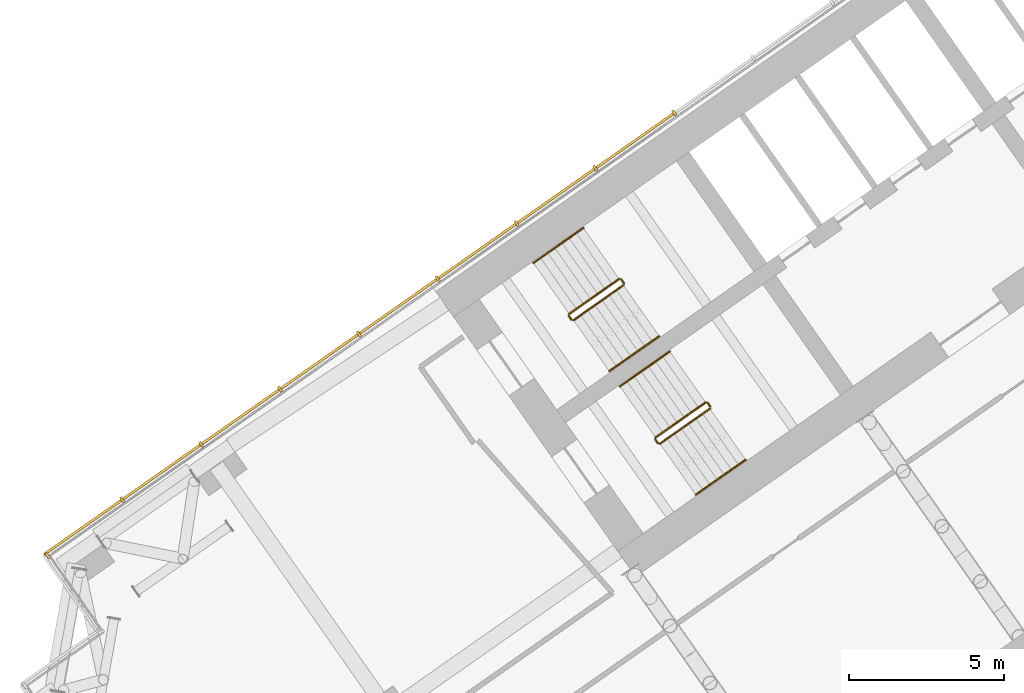
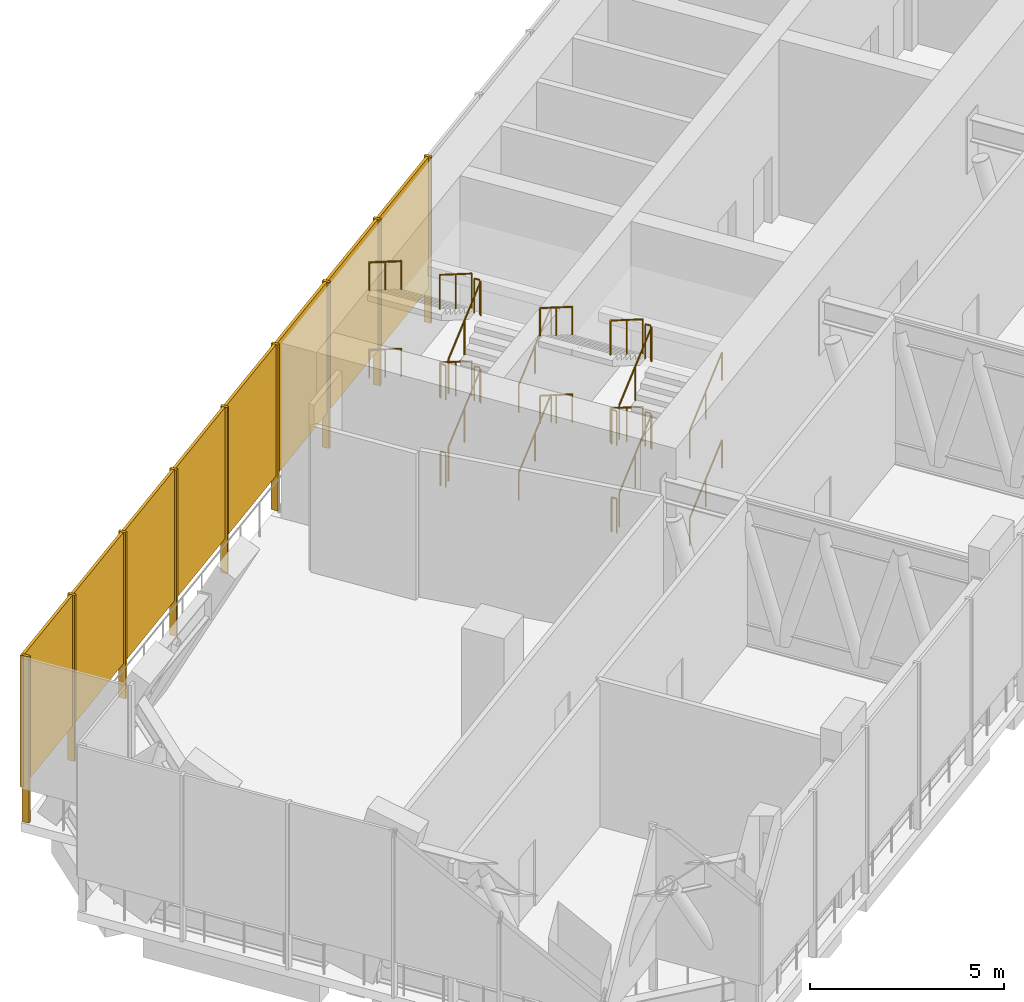
# One storey, part 18 of 24: 24 railings, 17 shading devices.
"""IFC4 building model written with IfcOpenShell, lengths in metres."""

from ifc_helpers import new_model, si_unit, direction, frame, origin, origin_2d, place, context, subcontext, project, spatial, rectangle, circle, extrude, material, layer, layer_set, type_object, element, save


model = new_model("IFC4")

# Units and contexts
model_context = context("Model", 3, precision=1e-05, world=origin(), true_north=direction((0.0, 1.0)))
body_context = subcontext(model_context, "Body", "Model", "MODEL_VIEW")
ifc_project = project(units=[si_unit("LENGTHUNIT", "METRE"), si_unit("AREAUNIT", "SQUARE_METRE"), si_unit("VOLUMEUNIT", "CUBIC_METRE"), si_unit("PLANEANGLEUNIT", "RADIAN"), si_unit("MASSUNIT", "GRAM", prefix="KILO")], contexts=[model_context])

# Site, building, storey
site_placement = place(None, origin())
site = spatial("IfcSite", under=ifc_project, at=site_placement, CompositionType="ELEMENT")
building_placement = place(site_placement, origin())
building = spatial("IfcBuilding", under=site, at=building_placement, Name="Tel Ilan Convention Tower", CompositionType="ELEMENT")
storey_placement = place(building_placement, frame((0.0, 0.0, 126.5)))
storey = spatial("IfcBuildingStorey", under=building, at=storey_placement, Name="L28", CompositionType="ELEMENT", Elevation=126.5)

# Shading devices
ifc_material_1 = material(Name="Perforated aluminium sheet, bronze anodised", Category="aluminium")
ifc_layer_1 = layer(ifc_material_1, 0.080078125)
ifc_layer_set_1 = layer_set([ifc_layer_1], Name="PERFORATED SCREEN 80")
shading_device_type_1 = type_object("IfcShadingDeviceType", Name="PERFORATED SCREEN 80", PredefinedType="USERDEFINED", material=ifc_layer_set_1)
for number, where, z_axis, x_axis, name in (
    (1, (-21.56396484375, -2.281005859375, 1.099853515625), (0.0, 0.0, 1.0), (-0.819152044289, -0.573576436351, 0.0), "SCREEN"),
    (2, (-24.100830078125, -4.057373046875, 1.099853515625), (0.0, 0.0, 1.0), (-0.819152044289, -0.573576436351, 0.0), "SCREEN"),
    (3, (-26.6376953125, -5.833740234375, 1.099853515625), (0.0, 0.0, 1.0), (-0.819152044289, -0.573576436351, 0.0), "SCREEN"),
    (4, (-29.174560546875, -7.610107421875, 1.099853515625), (0.0, 0.0, 1.0), (-0.819152044289, -0.573576436351, 0.0), "SCREEN"),
    (5, (-31.71142578125, -9.386474609375, 1.099853515625), (0.0, 0.0, 1.0), (-0.819152044289, -0.573576436351, 0.0), "SCREEN"),
    (6, (-34.24853515625, -11.162841796875, 1.099853515625), (0.0, 0.0, 1.0), (-0.819152044289, -0.573576436351, 0.0), "SCREEN"),
    (7, (-36.785400390625, -12.939208984375, 1.099853515625), (0.0, 0.0, 1.0), (-0.819152044289, -0.573576436351, 0.0), "SCREEN"),
    (8, (-39.322265625, -14.715576171875, 1.099853515625), (0.0, 0.0, 1.0), (-0.819152044289, -0.573576436351, 0.0), "SCREEN"),
):
    element("IfcShadingDevice", number, at=place(storey_placement, frame(where, z_axis=z_axis, x_axis=x_axis)), inside=storey, type_object=shading_device_type_1, Name=name, ObjectType="SCREEN", PredefinedType="USERDEFINED", context=body_context, shape_type="SweptSolid", body=[
        extrude(rectangle(XDim=3.037109375, YDim=0.080078125, at=origin_2d()), origin(), (0.0, 0.0, 1.0), 4.1201171875),
    ])
ifc_material_2 = material(Name="Perforated aluminium sheet, bronze anodised", Category="aluminium")
ifc_layer_2 = layer(ifc_material_2, 0.080078125)
ifc_layer_set_2 = layer_set([ifc_layer_2], Name="SCREEN CORNER CLOSURE 80x200")
shading_device_type_2 = type_object("IfcShadingDeviceType", Name="SCREEN CORNER CLOSURE 80x200", PredefinedType="USERDEFINED", material=ifc_layer_set_2)
shading_device_placement = place(storey_placement, frame((-40.451416015625, -15.62841796875, 0.0), z_axis=(0.0, 0.0, 1.0), x_axis=(-0.819152044289, -0.573576436351, 0.0)))
element("IfcShadingDevice", 9, at=shading_device_placement, inside=storey, type_object=shading_device_type_2, Name="SCREEN", ObjectType="SCREEN", PredefinedType="USERDEFINED", context=body_context, shape_type="SweptSolid", body=[
    extrude(rectangle(XDim=0.080078125, YDim=0.199951171875, at=origin_2d()), origin(), (0.0, 0.0, 1.0), 5.219970703125),
])
ifc_material_3 = material(Name="Aluminium, bronze anodised", Category="aluminium")
ifc_layer_3 = layer(ifc_material_3, 0.080078125)
ifc_layer_set_3 = layer_set([ifc_layer_3], Name="SCREEN POST 80x200")
shading_device_type_3 = type_object("IfcShadingDeviceType", Name="SCREEN POST 80x200", PredefinedType="USERDEFINED", material=ifc_layer_set_3)
for number, where, z_axis, x_axis, name in (
    (10, (-20.29541015625, -1.392822265625, 0.0), (0.0, 0.0, 1.0), (-0.819152044289, -0.573576436351, 0.0), "Screen post"),
    (11, (-22.832275390625, -3.169189453125, 0.0), (0.0, 0.0, 1.0), (-0.819152044289, -0.573576436351, 0.0), "Screen post"),
    (12, (-25.369140625, -4.945556640625, 0.0), (0.0, 0.0, 1.0), (-0.819152044289, -0.573576436351, 0.0), "Screen post"),
    (13, (-27.90625, -6.721923828125, 0.0), (0.0, 0.0, 1.0), (-0.819152044289, -0.573576436351, 0.0), "Screen post"),
    (14, (-30.443115234375, -8.498291015625, 0.0), (0.0, 0.0, 1.0), (-0.819152044289, -0.573576436351, 0.0), "Screen post"),
    (15, (-32.97998046875, -10.274658203125, 0.0), (0.0, 0.0, 1.0), (-0.819152044289, -0.573576436351, 0.0), "Screen post"),
    (16, (-35.516845703125, -12.051025390625, 0.0), (0.0, 0.0, 1.0), (-0.819152044289, -0.573576436351, 0.0), "Screen post"),
    (17, (-38.053955078125, -13.827392578125, 0.0), (0.0, 0.0, 1.0), (-0.819152044289, -0.573576436351, 0.0), "Screen post"),
):
    element("IfcShadingDevice", number, at=place(storey_placement, frame(where, z_axis=z_axis, x_axis=x_axis)), inside=storey, type_object=shading_device_type_3, Name=name, ObjectType="SCREEN POST", PredefinedType="USERDEFINED", context=body_context, shape_type="SweptSolid", body=[
        extrude(rectangle(XDim=0.080078125, YDim=0.199951171875, at=origin_2d()), origin(), (0.0, 0.0, 1.0), 5.219970703125),
    ])

# Railings
ifc_material_4 = material(Name="Stainless Steel Grade 316", Category="steel")
railing_type_1 = type_object("IfcRailingType", Name="Stainless Steel Stair Guard 1100 mm", PredefinedType="GUARDRAIL", material=ifc_material_4)
railing_1_placement = place(storey_placement, frame((-23.535400390625, -8.056396484375, 0.171875)))
element("IfcRailing", 18, at=railing_1_placement, inside=storey, type_object=railing_type_1, Name="L28 S1 stair guard 1", PredefinedType="GUARDRAIL", context=body_context, shape_type="SweptSolid", body=[
    extrude(circle(Radius=0.02392578125, at=origin_2d()), frame((0.0, 0.0, 1.076171875), z_axis=(0.698094737943, 0.488857400886, 0.523146421621), x_axis=(-0.573612813533, 0.819126571508, 0.0)), (0.0, 0.0, 1.0), 2.2998046875),
    extrude(circle(Radius=0.02099609375, at=origin_2d()), origin(), (0.0, 0.0, 1.0), 1.052001953125),
    extrude(circle(Radius=0.02099609375, at=origin_2d()), frame((0.802734375, 0.56201171875, 0.6015625)), (0.0, 0.0, 1.0), 1.052001953125),
    extrude(circle(Radius=0.02099609375, at=origin_2d()), frame((1.60546875, 1.124267578125, 1.203125)), (0.0, 0.0, 1.0), 1.052001953125),
])
railing_2_placement = place(storey_placement, frame((-21.91748046875, -6.862548828125, 1.375)))
element("IfcRailing", 19, at=railing_2_placement, inside=storey, type_object=railing_type_1, Name="L28 S1 stair guard 2", PredefinedType="GUARDRAIL", context=body_context, shape_type="SweptSolid", body=[
    extrude(circle(Radius=0.02392578125, at=origin_2d()), frame((0.0, 0.0, 1.076171875), z_axis=(-0.57368046593, 0.819079192149, 0.0), x_axis=(-0.819079192149, -0.57368046593, 0.0)), (0.0, 0.0, 1.0), 0.150146484375),
    extrude(circle(Radius=0.02099609375, at=origin_2d()), origin(), (0.0, 0.0, 1.0), 1.052001953125),
    extrude(circle(Radius=0.02099609375, at=origin_2d()), frame((-0.086181640625, 0.123046875, 0.0)), (0.0, 0.0, 1.0), 1.052001953125),
])
railing_3_placement = place(storey_placement, frame((-22.0732421875, -6.727294921875, 1.546875)))
element("IfcRailing", 20, at=railing_3_placement, inside=storey, type_object=railing_type_1, Name="L28 S1 stair guard 3", PredefinedType="GUARDRAIL", context=body_context, shape_type="SweptSolid", body=[
    extrude(circle(Radius=0.02392578125, at=origin_2d()), frame((0.0, 0.0, 1.076171875), z_axis=(-0.698094737943, -0.488857400886, 0.523146421621), x_axis=(0.573612813533, -0.819126571508, 0.0)), (0.0, 0.0, 1.0), 2.2998046875),
    extrude(circle(Radius=0.02099609375, at=origin_2d()), origin(), (0.0, 0.0, 1.0), 1.052001953125),
    extrude(circle(Radius=0.02099609375, at=origin_2d()), frame((-0.802734375, -0.56201171875, 0.6015625)), (0.0, 0.0, 1.0), 1.052001953125),
    extrude(circle(Radius=0.02099609375, at=origin_2d()), frame((-1.60546875, -1.124267578125, 1.203125)), (0.0, 0.0, 1.0), 1.052001953125),
])
railing_4_placement = place(storey_placement, frame((-23.60498046875, -8.0439453125, 2.75)))
element("IfcRailing", 21, at=railing_4_placement, inside=storey, type_object=railing_type_1, Name="L28 S1 stair guard 4", PredefinedType="GUARDRAIL", context=body_context, shape_type="SweptSolid", body=[
    extrude(circle(Radius=0.02392578125, at=origin_2d()), frame((0.0, 0.0, 1.076171875), z_axis=(-0.574444878118, 0.818543268254, 0.0), x_axis=(-0.818543268254, -0.574444878118, 0.0)), (0.0, 0.0, 1.0), 0.150146484375),
    extrude(circle(Radius=0.02099609375, at=origin_2d()), origin(), (0.0, 0.0, 1.0), 1.052001953125),
    extrude(circle(Radius=0.02099609375, at=origin_2d()), frame((-0.086181640625, 0.122802734375, 0.0)), (0.0, 0.0, 1.0), 1.052001953125),
])
railing_5_placement = place(storey_placement, frame((-23.535400390625, -8.056396484375, 2.921875)))
element("IfcRailing", 22, at=railing_5_placement, inside=storey, type_object=railing_type_1, Name="L28 S1 stair guard 5", PredefinedType="GUARDRAIL", context=body_context, shape_type="SweptSolid", body=[
    extrude(circle(Radius=0.02392578125, at=origin_2d()), frame((0.0, 0.0, 1.076171875), z_axis=(0.698094737943, 0.488857400886, 0.523146421621), x_axis=(-0.573612813533, 0.819126571508, 0.0)), (0.0, 0.0, 1.0), 2.2998046875),
    extrude(circle(Radius=0.02099609375, at=origin_2d()), origin(), (0.0, 0.0, 1.0), 1.052001953125),
    extrude(circle(Radius=0.02099609375, at=origin_2d()), frame((0.802734375, 0.56201171875, 0.6015625)), (0.0, 0.0, 1.0), 1.052001953125),
    extrude(circle(Radius=0.02099609375, at=origin_2d()), frame((1.60546875, 1.124267578125, 1.203125)), (0.0, 0.0, 1.0), 1.052001953125),
])
railing_6_placement = place(storey_placement, frame((-21.91748046875, -6.862548828125, 4.125)))
element("IfcRailing", 23, at=railing_6_placement, inside=storey, type_object=railing_type_1, Name="L28 S1 stair guard 6", PredefinedType="GUARDRAIL", context=body_context, shape_type="SweptSolid", body=[
    extrude(circle(Radius=0.02392578125, at=origin_2d()), frame((0.0, 0.0, 1.076171875), z_axis=(-0.57368046593, 0.819079192149, 0.0), x_axis=(-0.819079192149, -0.57368046593, 0.0)), (0.0, 0.0, 1.0), 0.150146484375),
    extrude(circle(Radius=0.02099609375, at=origin_2d()), origin(), (0.0, 0.0, 1.0), 1.052001953125),
    extrude(circle(Radius=0.02099609375, at=origin_2d()), frame((-0.086181640625, 0.123046875, 0.0)), (0.0, 0.0, 1.0), 1.052001953125),
])
railing_7_placement = place(storey_placement, frame((-22.0732421875, -6.727294921875, 4.296875)))
element("IfcRailing", 24, at=railing_7_placement, inside=storey, type_object=railing_type_1, Name="L28 S1 stair guard 7", PredefinedType="GUARDRAIL", context=body_context, shape_type="SweptSolid", body=[
    extrude(circle(Radius=0.02392578125, at=origin_2d()), frame((0.0, 0.0, 1.076171875), z_axis=(-0.698094737943, -0.488857400886, 0.523146421621), x_axis=(0.573612813533, -0.819126571508, 0.0)), (0.0, 0.0, 1.0), 2.2998046875),
    extrude(circle(Radius=0.02099609375, at=origin_2d()), origin(), (0.0, 0.0, 1.0), 1.052001953125),
    extrude(circle(Radius=0.02099609375, at=origin_2d()), frame((-0.802734375, -0.56201171875, 0.6015625)), (0.0, 0.0, 1.0), 1.052001953125),
    extrude(circle(Radius=0.02099609375, at=origin_2d()), frame((-1.60546875, -1.124267578125, 1.203125)), (0.0, 0.0, 1.0), 1.052001953125),
])
railing_8_placement = place(storey_placement, frame((-23.60498046875, -8.0439453125, 0.0)))
element("IfcRailing", 25, at=railing_8_placement, inside=storey, type_object=railing_type_1, Name="L28 S1 stair guard 8", PredefinedType="GUARDRAIL", context=body_context, shape_type="SweptSolid", body=[
    extrude(circle(Radius=0.02392578125, at=origin_2d()), frame((0.0, 0.0, 1.076171875), z_axis=(-0.574444878118, 0.818543268254, 0.0), x_axis=(-0.818543268254, -0.574444878118, 0.0)), (0.0, 0.0, 1.0), 0.150146484375),
    extrude(circle(Radius=0.02099609375, at=origin_2d()), origin(), (0.0, 0.0, 1.0), 1.052001953125),
    extrude(circle(Radius=0.02099609375, at=origin_2d()), frame((-0.086181640625, 0.122802734375, 0.0)), (0.0, 0.0, 1.0), 1.052001953125),
])
railing_9_placement = place(storey_placement, frame((-20.753662109375, -12.029296875, 0.171875)))
element("IfcRailing", 26, at=railing_9_placement, inside=storey, type_object=railing_type_1, Name="L28 S2 stair guard 1", PredefinedType="GUARDRAIL", context=body_context, shape_type="SweptSolid", body=[
    extrude(circle(Radius=0.02392578125, at=origin_2d()), frame((0.0, 0.0, 1.076171875), z_axis=(0.698149155229, 0.488821173762, 0.523107653485), x_axis=(-0.573554290663, 0.819167550421, 0.0)), (0.0, 0.0, 1.0), 2.300048828125),
    extrude(circle(Radius=0.02099609375, at=origin_2d()), origin(), (0.0, 0.0, 1.0), 1.052001953125),
    extrude(circle(Radius=0.02099609375, at=origin_2d()), frame((0.802734375, 0.56201171875, 0.6015625)), (0.0, 0.0, 1.0), 1.052001953125),
    extrude(circle(Radius=0.02099609375, at=origin_2d()), frame((1.605712890625, 1.124267578125, 1.203125)), (0.0, 0.0, 1.0), 1.052001953125),
])
railing_10_placement = place(storey_placement, frame((-19.1357421875, -10.83544921875, 1.375)))
element("IfcRailing", 27, at=railing_10_placement, inside=storey, type_object=railing_type_1, Name="L28 S2 stair guard 2", PredefinedType="GUARDRAIL", context=body_context, shape_type="SweptSolid", body=[
    extrude(circle(Radius=0.02392578125, at=origin_2d()), frame((0.0, 0.0, 1.076171875), z_axis=(-0.572588637393, 0.819842821722, 0.0), x_axis=(-0.819842821722, -0.572588637393, 0.0)), (0.0, 0.0, 1.0), 0.150146484375),
    extrude(circle(Radius=0.02099609375, at=origin_2d()), origin(), (0.0, 0.0, 1.0), 1.052001953125),
    extrude(circle(Radius=0.02099609375, at=origin_2d()), frame((-0.0859375, 0.123046875, 0.0)), (0.0, 0.0, 1.0), 1.052001953125),
])
railing_11_placement = place(storey_placement, frame((-19.29150390625, -10.7001953125, 1.546875)))
element("IfcRailing", 28, at=railing_11_placement, inside=storey, type_object=railing_type_1, Name="L28 S2 stair guard 3", PredefinedType="GUARDRAIL", context=body_context, shape_type="SweptSolid", body=[
    extrude(circle(Radius=0.02392578125, at=origin_2d()), frame((0.0, 0.0, 1.076171875), z_axis=(-0.698094737943, -0.488857400886, 0.523146421621), x_axis=(0.573612813533, -0.819126571508, 0.0)), (0.0, 0.0, 1.0), 2.2998046875),
    extrude(circle(Radius=0.02099609375, at=origin_2d()), origin(), (0.0, 0.0, 1.0), 1.052001953125),
    extrude(circle(Radius=0.02099609375, at=origin_2d()), frame((-0.802734375, -0.56201171875, 0.6015625)), (0.0, 0.0, 1.0), 1.052001953125),
    extrude(circle(Radius=0.02099609375, at=origin_2d()), frame((-1.60546875, -1.124267578125, 1.203125)), (0.0, 0.0, 1.0), 1.052001953125),
])
railing_12_placement = place(storey_placement, frame((-20.8232421875, -12.016845703125, 2.75)))
element("IfcRailing", 29, at=railing_12_placement, inside=storey, type_object=railing_type_1, Name="L28 S2 stair guard 4", PredefinedType="GUARDRAIL", context=body_context, shape_type="SweptSolid", body=[
    extrude(circle(Radius=0.02392578125, at=origin_2d()), frame((0.0, 0.0, 1.076171875), z_axis=(-0.573353020881, 0.819308436089, 0.0), x_axis=(-0.819308436089, -0.573353020881, 0.0)), (0.0, 0.0, 1.0), 0.14990234375),
    extrude(circle(Radius=0.02099609375, at=origin_2d()), origin(), (0.0, 0.0, 1.0), 1.052001953125),
    extrude(circle(Radius=0.02099609375, at=origin_2d()), frame((-0.0859375, 0.122802734375, 0.0)), (0.0, 0.0, 1.0), 1.052001953125),
])
railing_13_placement = place(storey_placement, frame((-20.753662109375, -12.029296875, 2.921875)))
element("IfcRailing", 30, at=railing_13_placement, inside=storey, type_object=railing_type_1, Name="L28 S2 stair guard 5", PredefinedType="GUARDRAIL", context=body_context, shape_type="SweptSolid", body=[
    extrude(circle(Radius=0.02392578125, at=origin_2d()), frame((0.0, 0.0, 1.076171875), z_axis=(0.698149155229, 0.488821173762, 0.523107653485), x_axis=(-0.573554290663, 0.819167550421, 0.0)), (0.0, 0.0, 1.0), 2.300048828125),
    extrude(circle(Radius=0.02099609375, at=origin_2d()), origin(), (0.0, 0.0, 1.0), 1.052001953125),
    extrude(circle(Radius=0.02099609375, at=origin_2d()), frame((0.802734375, 0.56201171875, 0.6015625)), (0.0, 0.0, 1.0), 1.052001953125),
    extrude(circle(Radius=0.02099609375, at=origin_2d()), frame((1.605712890625, 1.124267578125, 1.203125)), (0.0, 0.0, 1.0), 1.052001953125),
])
railing_14_placement = place(storey_placement, frame((-19.1357421875, -10.83544921875, 4.125)))
element("IfcRailing", 31, at=railing_14_placement, inside=storey, type_object=railing_type_1, Name="L28 S2 stair guard 6", PredefinedType="GUARDRAIL", context=body_context, shape_type="SweptSolid", body=[
    extrude(circle(Radius=0.02392578125, at=origin_2d()), frame((0.0, 0.0, 1.076171875), z_axis=(-0.572588637393, 0.819842821722, 0.0), x_axis=(-0.819842821722, -0.572588637393, 0.0)), (0.0, 0.0, 1.0), 0.150146484375),
    extrude(circle(Radius=0.02099609375, at=origin_2d()), origin(), (0.0, 0.0, 1.0), 1.052001953125),
    extrude(circle(Radius=0.02099609375, at=origin_2d()), frame((-0.0859375, 0.123046875, 0.0)), (0.0, 0.0, 1.0), 1.052001953125),
])
railing_15_placement = place(storey_placement, frame((-19.29150390625, -10.7001953125, 4.296875)))
element("IfcRailing", 32, at=railing_15_placement, inside=storey, type_object=railing_type_1, Name="L28 S2 stair guard 7", PredefinedType="GUARDRAIL", context=body_context, shape_type="SweptSolid", body=[
    extrude(circle(Radius=0.02392578125, at=origin_2d()), frame((0.0, 0.0, 1.076171875), z_axis=(-0.698094737943, -0.488857400886, 0.523146421621), x_axis=(0.573612813533, -0.819126571508, 0.0)), (0.0, 0.0, 1.0), 2.2998046875),
    extrude(circle(Radius=0.02099609375, at=origin_2d()), origin(), (0.0, 0.0, 1.0), 1.052001953125),
    extrude(circle(Radius=0.02099609375, at=origin_2d()), frame((-0.802734375, -0.56201171875, 0.6015625)), (0.0, 0.0, 1.0), 1.052001953125),
    extrude(circle(Radius=0.02099609375, at=origin_2d()), frame((-1.60546875, -1.124267578125, 1.203125)), (0.0, 0.0, 1.0), 1.052001953125),
])
railing_16_placement = place(storey_placement, frame((-20.8232421875, -12.016845703125, 0.0)))
element("IfcRailing", 33, at=railing_16_placement, inside=storey, type_object=railing_type_1, Name="L28 S2 stair guard 8", PredefinedType="GUARDRAIL", context=body_context, shape_type="SweptSolid", body=[
    extrude(circle(Radius=0.02392578125, at=origin_2d()), frame((0.0, 0.0, 1.076171875), z_axis=(-0.573353020881, 0.819308436089, 0.0), x_axis=(-0.819308436089, -0.573353020881, 0.0)), (0.0, 0.0, 1.0), 0.14990234375),
    extrude(circle(Radius=0.02099609375, at=origin_2d()), origin(), (0.0, 0.0, 1.0), 1.052001953125),
    extrude(circle(Radius=0.02099609375, at=origin_2d()), frame((-0.0859375, 0.122802734375, 0.0)), (0.0, 0.0, 1.0), 1.052001953125),
])
ifc_material_5 = material(Name="Stainless Steel Grade 316", Category="steel")
railing_type_2 = type_object("IfcRailingType", Name="Stainless Steel Stair Handrail 900 mm", PredefinedType="HANDRAIL", material=ifc_material_5)
railing_17_placement = place(storey_placement, frame((-22.38818359375, -9.694580078125, 0.171875)))
element("IfcRailing", 34, at=railing_17_placement, inside=storey, type_object=railing_type_2, Name="L28 S1 stair handrail 1", PredefinedType="HANDRAIL", context=body_context, shape_type="SweptSolid", body=[
    extrude(circle(Radius=0.02392578125, at=origin_2d()), frame((0.0, 0.0, 0.8759765625), z_axis=(0.698094737943, 0.488857400886, 0.523146421621), x_axis=(-0.573612813533, 0.819126571508, 0.0)), (0.0, 0.0, 1.0), 2.2998046875),
    extrude(circle(Radius=0.02099609375, at=origin_2d()), origin(), (0.0, 0.0, 1.0), 0.851806640625),
    extrude(circle(Radius=0.02099609375, at=origin_2d()), frame((0.802734375, 0.56201171875, 0.6015625)), (0.0, 0.0, 1.0), 0.851806640625),
    extrude(circle(Radius=0.02099609375, at=origin_2d()), frame((1.60546875, 1.124267578125, 1.203125)), (0.0, 0.0, 1.0), 0.851806640625),
])
railing_18_placement = place(storey_placement, frame((-23.220458984375, -5.089111328125, 1.546875)))
element("IfcRailing", 35, at=railing_18_placement, inside=storey, type_object=railing_type_2, Name="L28 S1 stair handrail 2", PredefinedType="HANDRAIL", context=body_context, shape_type="SweptSolid", body=[
    extrude(circle(Radius=0.02392578125, at=origin_2d()), frame((0.0, 0.0, 0.8759765625), z_axis=(-0.698130965226, -0.488776606433, 0.523173570048), x_axis=(0.573529226717, -0.819185098803, 0.0)), (0.0, 0.0, 1.0), 2.299560546875),
    extrude(circle(Radius=0.02099609375, at=origin_2d()), origin(), (0.0, 0.0, 1.0), 0.851806640625),
    extrude(circle(Radius=0.02099609375, at=origin_2d()), frame((-0.802734375, -0.56201171875, 0.6015625)), (0.0, 0.0, 1.0), 0.851806640625),
    extrude(circle(Radius=0.02099609375, at=origin_2d()), frame((-1.60546875, -1.1240234375, 1.203125)), (0.0, 0.0, 1.0), 0.851806640625),
])
railing_19_placement = place(storey_placement, frame((-22.38818359375, -9.694580078125, 2.921875)))
element("IfcRailing", 36, at=railing_19_placement, inside=storey, type_object=railing_type_2, Name="L28 S1 stair handrail 3", PredefinedType="HANDRAIL", context=body_context, shape_type="SweptSolid", body=[
    extrude(circle(Radius=0.02392578125, at=origin_2d()), frame((0.0, 0.0, 0.8759765625), z_axis=(0.698094737943, 0.488857400886, 0.523146421621), x_axis=(-0.573612813533, 0.819126571508, 0.0)), (0.0, 0.0, 1.0), 2.2998046875),
    extrude(circle(Radius=0.02099609375, at=origin_2d()), origin(), (0.0, 0.0, 1.0), 0.851806640625),
    extrude(circle(Radius=0.02099609375, at=origin_2d()), frame((0.802734375, 0.56201171875, 0.6015625)), (0.0, 0.0, 1.0), 0.851806640625),
    extrude(circle(Radius=0.02099609375, at=origin_2d()), frame((1.60546875, 1.124267578125, 1.203125)), (0.0, 0.0, 1.0), 0.851806640625),
])
railing_20_placement = place(storey_placement, frame((-23.220458984375, -5.089111328125, 4.296875)))
element("IfcRailing", 37, at=railing_20_placement, inside=storey, type_object=railing_type_2, Name="L28 S1 stair handrail 4", PredefinedType="HANDRAIL", context=body_context, shape_type="SweptSolid", body=[
    extrude(circle(Radius=0.02392578125, at=origin_2d()), frame((0.0, 0.0, 0.8759765625), z_axis=(-0.698130965226, -0.488776606433, 0.523173570048), x_axis=(0.573529226717, -0.819185098803, 0.0)), (0.0, 0.0, 1.0), 2.299560546875),
    extrude(circle(Radius=0.02099609375, at=origin_2d()), origin(), (0.0, 0.0, 1.0), 0.851806640625),
    extrude(circle(Radius=0.02099609375, at=origin_2d()), frame((-0.802734375, -0.56201171875, 0.6015625)), (0.0, 0.0, 1.0), 0.851806640625),
    extrude(circle(Radius=0.02099609375, at=origin_2d()), frame((-1.60546875, -1.1240234375, 1.203125)), (0.0, 0.0, 1.0), 0.851806640625),
])
railing_21_placement = place(storey_placement, frame((-19.6064453125, -13.66748046875, 0.171875)))
element("IfcRailing", 38, at=railing_21_placement, inside=storey, type_object=railing_type_2, Name="L28 S2 stair handrail 1", PredefinedType="HANDRAIL", context=body_context, shape_type="SweptSolid", body=[
    extrude(circle(Radius=0.02392578125, at=origin_2d()), frame((0.0, 0.0, 0.8759765625), z_axis=(0.698094737943, 0.488857400886, 0.523146421621), x_axis=(-0.573612813533, 0.819126571508, 0.0)), (0.0, 0.0, 1.0), 2.2998046875),
    extrude(circle(Radius=0.02099609375, at=origin_2d()), origin(), (0.0, 0.0, 1.0), 0.851806640625),
    extrude(circle(Radius=0.02099609375, at=origin_2d()), frame((0.802734375, 0.56201171875, 0.6015625)), (0.0, 0.0, 1.0), 0.851806640625),
    extrude(circle(Radius=0.02099609375, at=origin_2d()), frame((1.60546875, 1.124267578125, 1.203125)), (0.0, 0.0, 1.0), 0.851806640625),
])
railing_22_placement = place(storey_placement, frame((-20.4384765625, -9.06201171875, 1.546875)))
element("IfcRailing", 39, at=railing_22_placement, inside=storey, type_object=railing_type_2, Name="L28 S2 stair handrail 2", PredefinedType="HANDRAIL", context=body_context, shape_type="SweptSolid", body=[
    extrude(circle(Radius=0.02392578125, at=origin_2d()), frame((0.0, 0.0, 0.8759765625), z_axis=(-0.698185379967, -0.488740381537, 0.523134795876), x_axis=(0.573470704013, -0.8192260687, 0.0)), (0.0, 0.0, 1.0), 2.2998046875),
    extrude(circle(Radius=0.02099609375, at=origin_2d()), origin(), (0.0, 0.0, 1.0), 0.851806640625),
    extrude(circle(Radius=0.02099609375, at=origin_2d()), frame((-0.802734375, -0.56201171875, 0.6015625)), (0.0, 0.0, 1.0), 0.851806640625),
    extrude(circle(Radius=0.02099609375, at=origin_2d()), frame((-1.605712890625, -1.1240234375, 1.203125)), (0.0, 0.0, 1.0), 0.851806640625),
])
railing_23_placement = place(storey_placement, frame((-19.6064453125, -13.66748046875, 2.921875)))
element("IfcRailing", 40, at=railing_23_placement, inside=storey, type_object=railing_type_2, Name="L28 S2 stair handrail 3", PredefinedType="HANDRAIL", context=body_context, shape_type="SweptSolid", body=[
    extrude(circle(Radius=0.02392578125, at=origin_2d()), frame((0.0, 0.0, 0.8759765625), z_axis=(0.698094737943, 0.488857400886, 0.523146421621), x_axis=(-0.573612813533, 0.819126571508, 0.0)), (0.0, 0.0, 1.0), 2.2998046875),
    extrude(circle(Radius=0.02099609375, at=origin_2d()), origin(), (0.0, 0.0, 1.0), 0.851806640625),
    extrude(circle(Radius=0.02099609375, at=origin_2d()), frame((0.802734375, 0.56201171875, 0.6015625)), (0.0, 0.0, 1.0), 0.851806640625),
    extrude(circle(Radius=0.02099609375, at=origin_2d()), frame((1.60546875, 1.124267578125, 1.203125)), (0.0, 0.0, 1.0), 0.851806640625),
])
railing_24_placement = place(storey_placement, frame((-20.4384765625, -9.06201171875, 4.296875)))
element("IfcRailing", 41, at=railing_24_placement, inside=storey, type_object=railing_type_2, Name="L28 S2 stair handrail 4", PredefinedType="HANDRAIL", context=body_context, shape_type="SweptSolid", body=[
    extrude(circle(Radius=0.02392578125, at=origin_2d()), frame((0.0, 0.0, 0.8759765625), z_axis=(-0.698185379967, -0.488740381537, 0.523134795876), x_axis=(0.573470704013, -0.8192260687, 0.0)), (0.0, 0.0, 1.0), 2.2998046875),
    extrude(circle(Radius=0.02099609375, at=origin_2d()), origin(), (0.0, 0.0, 1.0), 0.851806640625),
    extrude(circle(Radius=0.02099609375, at=origin_2d()), frame((-0.802734375, -0.56201171875, 0.6015625)), (0.0, 0.0, 1.0), 0.851806640625),
    extrude(circle(Radius=0.02099609375, at=origin_2d()), frame((-1.605712890625, -1.1240234375, 1.203125)), (0.0, 0.0, 1.0), 0.851806640625),
])

save(model, "model.ifc")
